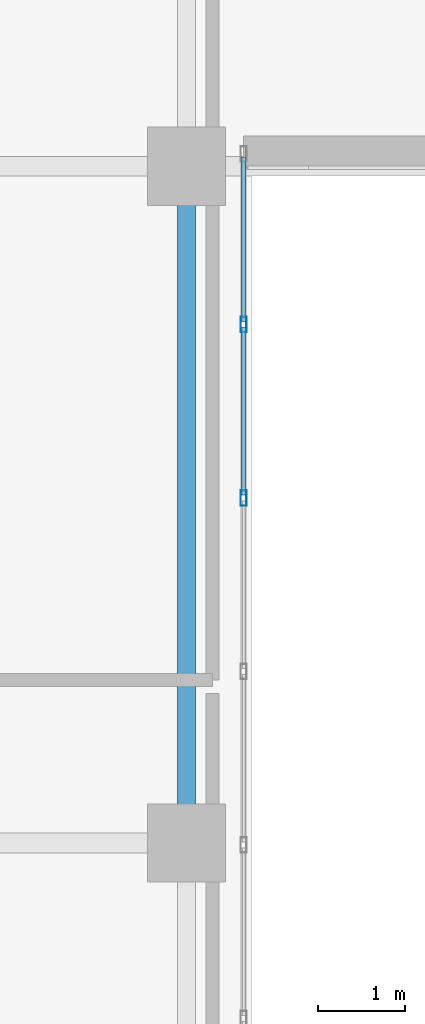
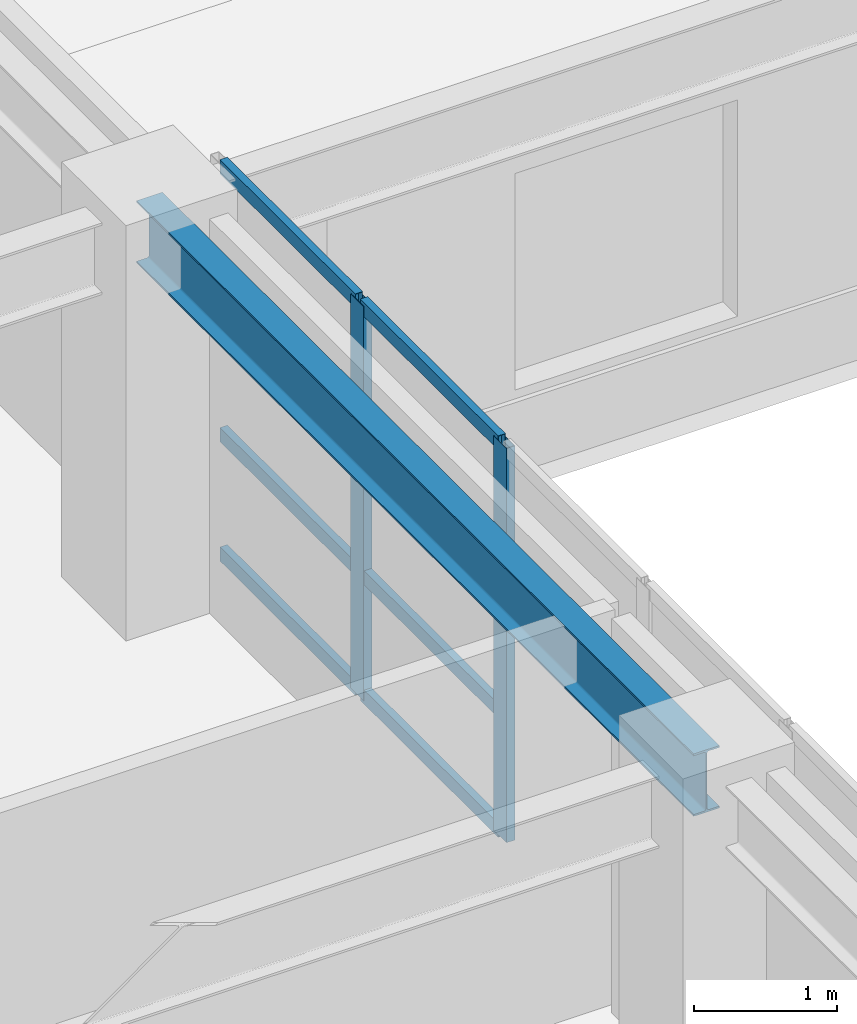
# One storey, part 3 of 24: 8 members, 1 beam, 1 element without a shape of its own.
"""IFC4 building model written with IfcOpenShell, lengths in metres."""

from ifc_helpers import new_model, si_unit, direction, frame, origin, origin_2d, place, context, subcontext, project, spatial, hollow_rectangle, i_section, extrude, source, transform, mapped, material, layer, layer_set, material_profile, profile_set, type_object, type_shapes, element, aggregate, save


model = new_model("IFC4")

# Units and contexts
model_context = context("Model", 3, precision=1e-05, world=origin(), true_north=direction((0.0, 1.0)))
body_context = subcontext(model_context, "Body", "Model", "MODEL_VIEW")
ifc_project = project(units=[si_unit("LENGTHUNIT", "METRE"), si_unit("AREAUNIT", "SQUARE_METRE"), si_unit("VOLUMEUNIT", "CUBIC_METRE"), si_unit("PLANEANGLEUNIT", "RADIAN"), si_unit("MASSUNIT", "GRAM", prefix="KILO")], contexts=[model_context])

# Site, building, storey
site_placement = place(None, origin())
site = spatial("IfcSite", under=ifc_project, at=site_placement, CompositionType="ELEMENT")
building_placement = place(site_placement, origin())
building = spatial("IfcBuilding", under=site, at=building_placement, Name="Tolvann Quenvar Hotel", CompositionType="ELEMENT")
storey_placement = place(building_placement, frame((0.0, 0.0, 81.699951171875)))
storey = spatial("IfcBuildingStorey", under=building, at=storey_placement, Name="L20", CompositionType="ELEMENT", Elevation=81.699951171875)

# Beam
ifc_material_1 = material(Name="Steel Grade 350", Category="steel")
ifc_material_profile_1 = material_profile(ifc_material_1, i_section(OverallWidth=0.208984375, OverallDepth=0.532958984375, WebThickness=0.01025390625, FlangeThickness=0.015625, FilletRadius=0.013916015625, at=origin_2d()), Name="530UB92")
ifc_profile_set_1 = profile_set([ifc_material_profile_1], Name="Steel Grade 350")
beam_type = type_object("IfcBeamType", Name="BM_GIRD_530UB92", PredefinedType="BEAM", material=ifc_profile_set_1)
shared_shape_1 = source(origin(), body_context, "Body", "SweptSolid", [
    extrude(i_section(OverallWidth=0.208984375, OverallDepth=0.532958984375, WebThickness=0.01025390625, FlangeThickness=0.015625, FilletRadius=0.013916015625, at=origin_2d()), origin(), (0.0, 0.0, 1.0), 7.800048828125),
])
type_shapes(beam_type, [shared_shape_1])
beam_placement = place(storey_placement, frame((22.050048828125, 8.199951171875, 3.103515625), z_axis=(0.0, 1.0, 0.0), x_axis=(-1.0, 0.0, 0.0)))
element("IfcBeam", 1, at=beam_placement, inside=storey, type_object=beam_type, Name="BM-L20-NS-E3-E4", PredefinedType="BEAM", context=body_context, shape_type="MappedRepresentation", body=[
    mapped(shared_shape_1, transform((0.0, 0.0, 0.0), x_axis=(1.0, 0.0, 0.0), y_axis=(0.0, 1.0, 0.0), z_axis=(0.0, 0.0, 1.0), scale=1.0)),
])

# Curtain wall, members
ifc_material_2 = material(Name="Thermally broken anodised architectural aluminium 6063-T6 and laminated low-E glass", Category="aluminium")
ifc_layer = layer(ifc_material_2, 0.179931640625)
ifc_layer_set = layer_set([ifc_layer], Name="Thermally broken anodised architectural aluminium 6063-T6 and laminated low-E glass")
curtain_wall_type = type_object("IfcCurtainWallType", Name="CW_SYS_SLOT_03", PredefinedType="USERDEFINED", material=ifc_layer_set)
curtain_wall_placement = place(storey_placement, origin())
curtain_wall = element("IfcCurtainWall", 2, at=curtain_wall_placement, inside=storey, type_object=curtain_wall_type, Name="Curtain Wall CW-SLOT-03 (CWR-L20-E05)", ObjectType="UNITISED CURTAIN WALL", PredefinedType="USERDEFINED")
ifc_material_3 = material(Name="Anodised architectural aluminium 6063-T6 framing", Category="aluminium")
ifc_material_profile_2 = material_profile(ifc_material_3, hollow_rectangle(XDim=0.070068359375, YDim=0.179931640625, WallThickness=0.00390625, at=origin_2d()), Name="180x70x4RHS")
ifc_profile_set_2 = profile_set([ifc_material_profile_2], Name="Anodised architectural aluminium 6063-T6 framing")
member_type_1 = type_object("IfcMemberType", Name="CW_MULL_180x70", PredefinedType="MULLION", material=ifc_profile_set_2)
shared_shape_2 = source(origin(), body_context, "Body", "SweptSolid", [
    extrude(hollow_rectangle(XDim=0.070068359375, YDim=0.179931640625, WallThickness=0.00390625, at=origin_2d()), origin(), (0.0, 0.0, 1.0), 3.3701171875),
])
type_shapes(member_type_1, [shared_shape_2])
member_1_placement = place(storey_placement, frame((22.7099609375, 12.175048828125, 0.0), z_axis=(0.0, 0.0, 1.0), x_axis=(-1.0, 0.0, 0.0)))
member_1 = element("IfcMember", 3, at=member_1_placement, type_object=member_type_1, Name="CW-SLOT-03 mullion 7", PredefinedType="MULLION", context=body_context, shape_type="MappedRepresentation", body=[
    mapped(shared_shape_2, transform((0.0, 0.0, 0.0), x_axis=(1.0, 0.0, 0.0), y_axis=(0.0, 1.0, 0.0), z_axis=(0.0, 0.0, 1.0), scale=1.0)),
])
member_2_placement = place(storey_placement, frame((22.7099609375, 14.175048828125, 0.0), z_axis=(0.0, 0.0, 1.0), x_axis=(-1.0, 0.0, 0.0)))
member_2 = element("IfcMember", 4, at=member_2_placement, type_object=member_type_1, Name="CW-SLOT-03 mullion 8", PredefinedType="MULLION", context=body_context, shape_type="MappedRepresentation", body=[
    mapped(shared_shape_2, transform((0.0, 0.0, 0.0), x_axis=(1.0, 0.0, 0.0), y_axis=(0.0, 1.0, 0.0), z_axis=(0.0, 0.0, 1.0), scale=1.0)),
])
ifc_material_profile_3 = material_profile(ifc_material_3, hollow_rectangle(XDim=0.06005859375, YDim=0.1201171875, WallThickness=0.00341796875, at=origin_2d()), Name="120x60x3.5RHS")
ifc_profile_set_3 = profile_set([ifc_material_profile_3], Name="Anodised architectural aluminium 6063-T6 framing")
member_type_2 = type_object("IfcMemberType", Name="CW_TRAN_120x60", PredefinedType="USERDEFINED", material=ifc_profile_set_3)
shared_shape_3 = source(origin(), body_context, "Body", "SweptSolid", [
    extrude(hollow_rectangle(XDim=0.06005859375, YDim=0.1201171875, WallThickness=0.00341796875, at=origin_2d()), origin(), (0.0, 0.0, 1.0), 1.929931640625),
])
member_3_placement = place(storey_placement, frame((22.7099609375, 12.2099609375, 0.030029296875), z_axis=(0.0, 1.0, 0.0), x_axis=(-1.0, 0.0, 0.0)))
member_3 = element("IfcMember", 5, at=member_3_placement, type_object=member_type_2, Name="CW-SLOT-03 transom 7.1", ObjectType="TRANSOM", PredefinedType="USERDEFINED", context=body_context, shape_type="MappedRepresentation", body=[
    mapped(shared_shape_3, transform((0.0, 0.0, 0.0), x_axis=(1.0, 0.0, 0.0), y_axis=(0.0, 1.0, 0.0), z_axis=(0.0, 0.0, 1.0), scale=1.0)),
])
member_4_placement = place(storey_placement, frame((22.7099609375, 12.2099609375, 1.050048828125), z_axis=(0.0, 1.0, 0.0), x_axis=(-1.0, 0.0, 0.0)))
member_4 = element("IfcMember", 6, at=member_4_placement, type_object=member_type_2, Name="CW-SLOT-03 transom 7.2", ObjectType="TRANSOM", PredefinedType="USERDEFINED", context=body_context, shape_type="MappedRepresentation", body=[
    mapped(shared_shape_3, transform((0.0, 0.0, 0.0), x_axis=(1.0, 0.0, 0.0), y_axis=(0.0, 1.0, 0.0), z_axis=(0.0, 0.0, 1.0), scale=1.0)),
])
member_5_placement = place(storey_placement, frame((22.7099609375, 12.2099609375, 3.340087890625), z_axis=(0.0, 1.0, 0.0), x_axis=(-1.0, 0.0, 0.0)))
member_5 = element("IfcMember", 7, at=member_5_placement, type_object=member_type_2, Name="CW-SLOT-03 transom 7.3", ObjectType="TRANSOM", PredefinedType="USERDEFINED", context=body_context, shape_type="MappedRepresentation", body=[
    mapped(shared_shape_3, transform((0.0, 0.0, 0.0), x_axis=(1.0, 0.0, 0.0), y_axis=(0.0, 1.0, 0.0), z_axis=(0.0, 0.0, 1.0), scale=1.0)),
])
shared_shape_4 = source(origin(), body_context, "Body", "SweptSolid", [
    extrude(hollow_rectangle(XDim=0.06005859375, YDim=0.1201171875, WallThickness=0.00341796875, at=origin_2d()), origin(), (0.0, 0.0, 1.0), 1.89501953125),
])
type_shapes(member_type_2, [shared_shape_3, shared_shape_4])
member_6_placement = place(storey_placement, frame((22.7099609375, 14.2099609375, 0.030029296875), z_axis=(0.0, 1.0, 0.0), x_axis=(-1.0, 0.0, 0.0)))
member_6 = element("IfcMember", 8, at=member_6_placement, type_object=member_type_2, Name="CW-SLOT-03 transom 8.1", ObjectType="TRANSOM", PredefinedType="USERDEFINED", context=body_context, shape_type="MappedRepresentation", body=[
    mapped(shared_shape_4, transform((0.0, 0.0, 0.0), x_axis=(1.0, 0.0, 0.0), y_axis=(0.0, 1.0, 0.0), z_axis=(0.0, 0.0, 1.0), scale=1.0)),
])
member_7_placement = place(storey_placement, frame((22.7099609375, 14.2099609375, 1.050048828125), z_axis=(0.0, 1.0, 0.0), x_axis=(-1.0, 0.0, 0.0)))
member_7 = element("IfcMember", 9, at=member_7_placement, type_object=member_type_2, Name="CW-SLOT-03 transom 8.2", ObjectType="TRANSOM", PredefinedType="USERDEFINED", context=body_context, shape_type="MappedRepresentation", body=[
    mapped(shared_shape_4, transform((0.0, 0.0, 0.0), x_axis=(1.0, 0.0, 0.0), y_axis=(0.0, 1.0, 0.0), z_axis=(0.0, 0.0, 1.0), scale=1.0)),
])
member_8_placement = place(storey_placement, frame((22.7099609375, 14.2099609375, 3.340087890625), z_axis=(0.0, 1.0, 0.0), x_axis=(-1.0, 0.0, 0.0)))
member_8 = element("IfcMember", 10, at=member_8_placement, type_object=member_type_2, Name="CW-SLOT-03 transom 8.3", ObjectType="TRANSOM", PredefinedType="USERDEFINED", context=body_context, shape_type="MappedRepresentation", body=[
    mapped(shared_shape_4, transform((0.0, 0.0, 0.0), x_axis=(1.0, 0.0, 0.0), y_axis=(0.0, 1.0, 0.0), z_axis=(0.0, 0.0, 1.0), scale=1.0)),
])
aggregate(curtain_wall, [member_1, member_2, member_3, member_4, member_5, member_6, member_7, member_8])

save(model, "model.ifc")
